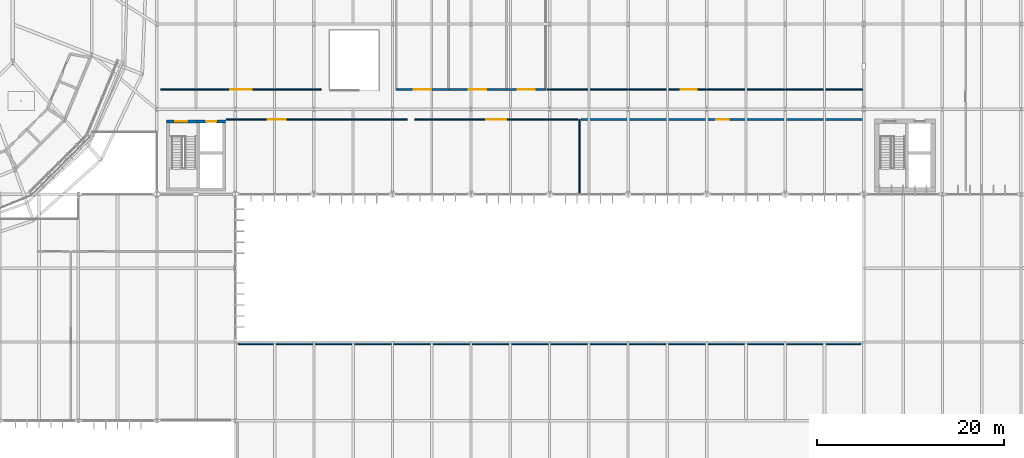
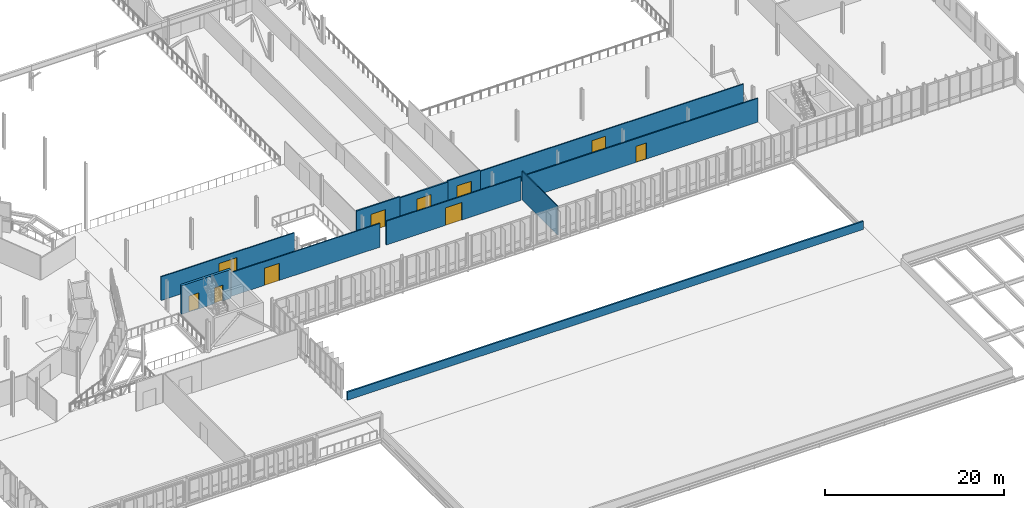
# One storey, part 89 of 107: 11 walls, 10 doors, 10 openings.
"""IFC4 building model written with IfcOpenShell, lengths in metres."""

from ifc_helpers import new_model, si_unit, derived_unit, direction, frame, frame_2d, origin, place, context, subcontext, project, spatial, rectangle, extrude, material, layer, layer_set, type_object, element, fill, save


model = new_model("IFC4")

# Units and contexts
model_context = context("Model", 3, precision=1e-05, world=origin(), true_north=direction((0.0, 1.0)))
body_context = subcontext(model_context, "Body", "Model", "MODEL_VIEW")
ifc_project = project(units=[si_unit("LENGTHUNIT", "METRE"), si_unit("AREAUNIT", "SQUARE_METRE"), si_unit("VOLUMEUNIT", "CUBIC_METRE"), si_unit("PLANEANGLEUNIT", "RADIAN"), si_unit("MASSUNIT", "GRAM", prefix="KILO"), derived_unit("THERMALTRANSMITTANCEUNIT", [(si_unit("MASSUNIT", "GRAM", prefix="KILO"), 1), (si_unit("TIMEUNIT", "SECOND"), -3), (si_unit("THERMODYNAMICTEMPERATUREUNIT", "KELVIN"), -1)])], contexts=[model_context])

# Site, building, storey
site_placement = place(None, origin())
site = spatial("IfcSite", under=ifc_project, at=site_placement, CompositionType="ELEMENT")
building_placement = place(site_placement, origin())
building = spatial("IfcBuilding", under=site, at=building_placement, Name="Makaiwela Harbour Ferry Terminal", CompositionType="ELEMENT")
storey_placement = place(building_placement, frame((0.0, 0.0, 9.60009765625)))
storey = spatial("IfcBuildingStorey", under=building, at=storey_placement, Name="L02", CompositionType="ELEMENT", Elevation=9.60009765625)

# Wall
ifc_material_1 = material(Name="Precast concrete f'c 40 MPa (6000 psi)", Category="concrete")
ifc_layer_1 = layer(ifc_material_1, 0.199951171875)
ifc_layer_set_1 = layer_set([ifc_layer_1], Name="Precast concrete f'c 40 MPa (6000 psi)")
wall_type_1 = type_object("IfcWallType", Name="ENV-WL-PAR200", PredefinedType="PARAPET", material=ifc_layer_set_1)
wall_1_placement = place(storey_placement, frame((71.7099609375, 33.39990234375, 0.0), z_axis=(0.0, 0.0, 1.0), x_axis=(1.0, 0.0, 0.0)))
element("IfcWall", 1, at=wall_1_placement, inside=storey, type_object=wall_type_1, Name="Roof Parapet Wall PW-009", PredefinedType="PARAPET", context=body_context, shape_type="SweptSolid", body=[
    extrude(rectangle(XDim=66.580078125, YDim=0.199951171875, at=frame_2d((33.2900390625, 0.0))), origin(), (0.0, 0.0, 1.0), 1.119873046875),
])

# Wall, opening, door
ifc_material_2 = material(Name="Fire-rated gypsum board on steel studs", Category="steel")
ifc_layer_2 = layer(ifc_material_2, 0.1650390625)
ifc_layer_set_2 = layer_set([ifc_layer_2], Name="Fire-rated gypsum board on steel studs")
wall_type_2 = type_object("IfcWallType", Name="INT-WL-FIR165", PredefinedType="PARTITIONING", material=ifc_layer_set_2)
wall_2_placement = place(storey_placement, frame((108.39990234375, 57.39990234375, 0.0), z_axis=(0.0, 0.0, 1.0), x_axis=(1.0, 0.0, 0.0)))
wall_2 = element("IfcWall", 2, at=wall_2_placement, inside=storey, type_object=wall_type_2, Name="Interior Wall IW-0541", PredefinedType="PARTITIONING", context=body_context, shape_type="SweptSolid", body=[
    extrude(rectangle(XDim=30.16015625, YDim=0.1650390625, at=frame_2d((15.080078125, 0.0))), origin(), (0.0, 0.0, 1.0), 3.241943359375),
])
opening_1_placement = place(wall_2_placement, frame((14.405029296875, 0.0, 0.0)))
opening_1 = element("IfcOpeningElement", 3, at=opening_1_placement, cuts=wall_2, Name="Opening D-15", PredefinedType="OPENING", context=body_context, shape_type="SweptSolid", body=[
    extrude(rectangle(XDim=1.35009765625, YDim=2.199951171875, at=frame_2d((0.675048828125, 1.10009765625))), frame((0.0, 0.092529296875, 0.0), z_axis=(0.0, -1.0, 0.0), x_axis=(1.0, 0.0, 0.0)), (0.0, 0.0, 1.0), 0.18505859375),
])
ifc_material_3 = material(Name="Insulated galvanised fire-rated steel leaf and frame", Category="steel")
door_type_1 = type_object("IfcDoorType", Name="INT-DR-STR135", OperationType="NOTDEFINED", PredefinedType="DOOR", material=ifc_material_3)
door_1_placement = place(opening_1_placement, origin())
door_1 = element("IfcDoor", 4, at=door_1_placement, inside=storey, type_object=door_type_1, Name="Door D-15", OperationType="SINGLE_SWING_RIGHT", OverallHeight=2.199951171875, OverallWidth=1.35009765625, PredefinedType="DOOR", context=body_context, shape_type="SweptSolid", body=[
    extrude(rectangle(XDim=1.35009765625, YDim=2.199951171875, at=frame_2d((0.675048828125, 1.10009765625))), frame((0.0, 0.02490234375, 0.0), z_axis=(0.0, -1.0, 0.0), x_axis=(1.0, 0.0, 0.0)), (0.0, 0.0, 1.0), 0.050048828125),
])
fill(opening_1, door_1)

ifc_layer_3 = layer(ifc_material_2, 0.179931640625)
ifc_layer_set_3 = layer_set([ifc_layer_3], Name="Fire-rated gypsum board on steel studs")
wall_type_3 = type_object("IfcWallType", Name="INT-WL-FIR180", PredefinedType="PARTITIONING", material=ifc_layer_set_3)
wall_3_placement = place(storey_placement, frame((88.60009765625, 60.60009765625, 0.0), z_axis=(0.0, 0.0, 1.0), x_axis=(1.0, 0.0, 0.0)))
wall_3 = element("IfcWall", 5, at=wall_3_placement, inside=storey, type_object=wall_type_3, Name="Interior Wall IW-0544", PredefinedType="PARTITIONING", context=body_context, shape_type="SweptSolid", body=[
    extrude(rectangle(XDim=5.599853515625, YDim=0.179931640625, at=frame_2d((2.7998046875, 0.0))), origin(), (0.0, 0.0, 1.0), 3.39794921875),
])
opening_2_placement = place(wall_3_placement, frame((1.875, 0.0, 0.0)))
opening_2 = element("IfcOpeningElement", 6, at=opening_2_placement, cuts=wall_3, Name="Opening D-05", PredefinedType="OPENING", context=body_context, shape_type="SweptSolid", body=[
    extrude(rectangle(XDim=1.85009765625, YDim=2.300048828125, at=frame_2d((0.925048828125, 1.14990234375))), frame((0.0, 0.099853515625, 0.0), z_axis=(0.0, -1.0, 0.0), x_axis=(1.0, 0.0, 0.0)), (0.0, 0.0, 1.0), 0.199951171875),
])
door_type_2 = type_object("IfcDoorType", Name="INT-DR-COR185", OperationType="NOTDEFINED", PredefinedType="DOOR", material=ifc_material_3)
door_2_placement = place(opening_2_placement, frame((1.85009765625, 0.0, 0.0), z_axis=(0.0, 0.0, 1.0), x_axis=(-1.0, 0.0, 0.0)))
door_2 = element("IfcDoor", 7, at=door_2_placement, inside=storey, type_object=door_type_2, Name="Door D-05", OperationType="DOUBLE_DOOR_SINGLE_SWING", OverallHeight=2.300048828125, OverallWidth=1.85009765625, PredefinedType="DOOR", context=body_context, shape_type="SweptSolid", body=[
    extrude(rectangle(XDim=1.85009765625, YDim=2.300048828125, at=frame_2d((0.925048828125, 1.14990234375))), frame((0.0, 0.02490234375, 0.0), z_axis=(0.0, -1.0, 0.0), x_axis=(1.0, 0.0, 0.0)), (0.0, 0.0, 1.0), 0.050048828125),
])
fill(opening_2, door_2)

wall_4_placement = place(storey_placement, frame((94.199951171875, 60.60009765625, 0.0), z_axis=(0.0, 0.0, 1.0), x_axis=(1.0, 0.0, 0.0)))
wall_4 = element("IfcWall", 8, at=wall_4_placement, inside=storey, type_object=wall_type_3, Name="Interior Wall IW-0545", PredefinedType="PARTITIONING", context=body_context, shape_type="SweptSolid", body=[
    extrude(rectangle(XDim=6.199951171875, YDim=0.179931640625, at=frame_2d((3.10009765625, 0.0))), origin(), (0.0, 0.0, 1.0), 3.241943359375),
])
opening_3_placement = place(wall_4_placement, frame((2.175048828125, 0.0, 0.0)))
opening_3 = element("IfcOpeningElement", 9, at=opening_3_placement, cuts=wall_4, Name="Opening D-05", PredefinedType="OPENING", context=body_context, shape_type="SweptSolid", body=[
    extrude(rectangle(XDim=1.85009765625, YDim=2.300048828125, at=frame_2d((0.925048828125, 1.14990234375))), frame((0.0, 0.099853515625, 0.0), z_axis=(0.0, -1.0, 0.0), x_axis=(1.0, 0.0, 0.0)), (0.0, 0.0, 1.0), 0.199951171875),
])
door_3_placement = place(opening_3_placement, frame((1.85009765625, 0.0, 0.0), z_axis=(0.0, 0.0, 1.0), x_axis=(-1.0, 0.0, 0.0)))
door_3 = element("IfcDoor", 10, at=door_3_placement, inside=storey, type_object=door_type_2, Name="Door D-05", OperationType="DOUBLE_DOOR_SINGLE_SWING", OverallHeight=2.300048828125, OverallWidth=1.85009765625, PredefinedType="DOOR", context=body_context, shape_type="SweptSolid", body=[
    extrude(rectangle(XDim=1.85009765625, YDim=2.300048828125, at=frame_2d((0.925048828125, 1.14990234375))), frame((0.0, 0.02490234375, 0.0), z_axis=(0.0, -1.0, 0.0), x_axis=(1.0, 0.0, 0.0)), (0.0, 0.0, 1.0), 0.050048828125),
])
fill(opening_3, door_3)

wall_5_placement = place(storey_placement, frame((100.39990234375, 60.60009765625, 0.0), z_axis=(0.0, 0.0, 1.0), x_axis=(1.0, 0.0, 0.0)))
wall_5 = element("IfcWall", 11, at=wall_5_placement, inside=storey, type_object=wall_type_3, Name="Interior Wall IW-0546", PredefinedType="PARTITIONING", context=body_context, shape_type="SweptSolid", body=[
    extrude(rectangle(XDim=4.2001953125, YDim=0.179931640625, at=frame_2d((2.10009765625, 0.0))), origin(), (0.0, 0.0, 1.0), 3.39794921875),
])
opening_4_placement = place(wall_5_placement, frame((1.175048828125, 0.0, 0.0)))
opening_4 = element("IfcOpeningElement", 12, at=opening_4_placement, cuts=wall_5, Name="Opening D-05", PredefinedType="OPENING", context=body_context, shape_type="SweptSolid", body=[
    extrude(rectangle(XDim=1.85009765625, YDim=2.300048828125, at=frame_2d((0.925048828125, 1.14990234375))), frame((0.0, 0.099853515625, 0.0), z_axis=(0.0, -1.0, 0.0), x_axis=(1.0, 0.0, 0.0)), (0.0, 0.0, 1.0), 0.199951171875),
])
door_4_placement = place(opening_4_placement, frame((1.85009765625, 0.0, 0.0), z_axis=(0.0, 0.0, 1.0), x_axis=(-1.0, 0.0, 0.0)))
door_4 = element("IfcDoor", 13, at=door_4_placement, inside=storey, type_object=door_type_2, Name="Door D-05", OperationType="DOUBLE_DOOR_SINGLE_SWING", OverallHeight=2.300048828125, OverallWidth=1.85009765625, PredefinedType="DOOR", context=body_context, shape_type="SweptSolid", body=[
    extrude(rectangle(XDim=1.85009765625, YDim=2.300048828125, at=frame_2d((0.925048828125, 1.14990234375))), frame((0.0, 0.02490234375, 0.0), z_axis=(0.0, -1.0, 0.0), x_axis=(1.0, 0.0, 0.0)), (0.0, 0.0, 1.0), 0.050048828125),
])
fill(opening_4, door_4)

# Wall
ifc_material_4 = material(Name="Moisture-resistant acoustic gypsum partition", Category="gypsum")
ifc_layer_4 = layer(ifc_material_4, 0.1201171875)
ifc_layer_set_4 = layer_set([ifc_layer_4], Name="Moisture-resistant acoustic gypsum partition")
wall_type_4 = type_object("IfcWallType", Name="INT-WL-PRT120", PredefinedType="PARTITIONING", material=ifc_layer_set_4)
wall_6_placement = place(storey_placement, frame((108.199951171875, 49.419921875, 0.0), z_axis=(0.0, 0.0, 1.0), x_axis=(0.0, 1.0, 0.0)))
element("IfcWall", 14, at=wall_6_placement, inside=storey, type_object=wall_type_4, Name="Interior Wall IW-0542", PredefinedType="PARTITIONING", context=body_context, shape_type="SweptSolid", body=[
    extrude(rectangle(XDim=7.97998046875, YDim=0.1201171875, at=frame_2d((3.989990234375, 0.0))), origin(), (0.0, 0.0, 1.0), 3.919921875),
])

# Wall, opening, door
ifc_layer_5 = layer(ifc_material_4, 0.139892578125)
ifc_layer_set_5 = layer_set([ifc_layer_5], Name="Moisture-resistant acoustic gypsum partition")
wall_type_5 = type_object("IfcWallType", Name="INT-WL-PRT140", PredefinedType="PARTITIONING", material=ifc_layer_set_5)
wall_7_placement = place(storey_placement, frame((70.39990234375, 57.39990234375, 0.0), z_axis=(0.0, 0.0, 1.0), x_axis=(1.0, 0.0, 0.0)))
wall_7 = element("IfcWall", 15, at=wall_7_placement, inside=storey, type_object=wall_type_5, Name="Interior Wall IW-0539", PredefinedType="PARTITIONING", context=body_context, shape_type="SweptSolid", body=[
    extrude(rectangle(XDim=19.400146484375, YDim=0.139892578125, at=frame_2d((9.7001953125, 0.0))), origin(), (0.0, 0.0, 1.0), 3.241943359375),
])
opening_5_placement = place(wall_7_placement, frame((4.45703125, 0.0, 0.0)))
opening_5 = element("IfcOpeningElement", 16, at=opening_5_placement, cuts=wall_7, Name="Opening D-19", PredefinedType="OPENING", context=body_context, shape_type="SweptSolid", body=[
    extrude(rectangle(XDim=1.949951171875, YDim=2.35009765625, at=frame_2d((0.97509765625, 1.175048828125))), frame((0.0, 0.079833984375, 0.0), z_axis=(0.0, -1.0, 0.0), x_axis=(1.0, 0.0, 0.0)), (0.0, 0.0, 1.0), 0.159912109375),
])
ifc_material_5 = material(Name="Solid-core marine hardwood and painted steel frame", Category="steel")
door_type_3 = type_object("IfcDoorType", Name="INT-DR-RET195", OperationType="NOTDEFINED", PredefinedType="DOOR", material=ifc_material_5)
door_5_placement = place(opening_5_placement, origin())
door_5 = element("IfcDoor", 17, at=door_5_placement, inside=storey, type_object=door_type_3, Name="Door D-19", OperationType="DOUBLE_DOOR_SINGLE_SWING", OverallHeight=2.35009765625, OverallWidth=1.949951171875, PredefinedType="DOOR", context=body_context, shape_type="SweptSolid", body=[
    extrude(rectangle(XDim=1.949951171875, YDim=2.35009765625, at=frame_2d((0.97509765625, 1.175048828125))), frame((0.0, 0.02490234375, 0.0), z_axis=(0.0, -1.0, 0.0), x_axis=(1.0, 0.0, 0.0)), (0.0, 0.0, 1.0), 0.050048828125),
])
fill(opening_5, door_5)

wall_8_placement = place(storey_placement, frame((90.60009765625, 57.39990234375, 0.0), z_axis=(0.0, 0.0, 1.0), x_axis=(1.0, 0.0, 0.0)))
wall_8 = element("IfcWall", 18, at=wall_8_placement, inside=storey, type_object=wall_type_5, Name="Interior Wall IW-0540", PredefinedType="PARTITIONING", context=body_context, shape_type="SweptSolid", body=[
    extrude(rectangle(XDim=17.39990234375, YDim=0.139892578125, at=frame_2d((8.699951171875, 0.0))), origin(), (0.0, 0.0, 1.0), 3.241943359375),
])
opening_6_placement = place(wall_8_placement, frame((7.64990234375, 0.0, 0.0)))
opening_6 = element("IfcOpeningElement", 19, at=opening_6_placement, cuts=wall_8, Name="Opening D-20", PredefinedType="OPENING", context=body_context, shape_type="SweptSolid", body=[
    extrude(rectangle(XDim=2.10009765625, YDim=2.39990234375, at=frame_2d((1.050048828125, 1.199951171875))), frame((0.0, 0.079833984375, 0.0), z_axis=(0.0, -1.0, 0.0), x_axis=(1.0, 0.0, 0.0)), (0.0, 0.0, 1.0), 0.159912109375),
])
door_type_4 = type_object("IfcDoorType", Name="INT-DR-RET210", OperationType="NOTDEFINED", PredefinedType="DOOR", material=ifc_material_5)
door_6_placement = place(opening_6_placement, origin())
door_6 = element("IfcDoor", 20, at=door_6_placement, inside=storey, type_object=door_type_4, Name="Door D-20", OperationType="DOUBLE_DOOR_SINGLE_SWING", OverallHeight=2.39990234375, OverallWidth=2.10009765625, PredefinedType="DOOR", context=body_context, shape_type="SweptSolid", body=[
    extrude(rectangle(XDim=2.10009765625, YDim=2.39990234375, at=frame_2d((1.050048828125, 1.199951171875))), frame((0.0, 0.02490234375, 0.0), z_axis=(0.0, -1.0, 0.0), x_axis=(1.0, 0.0, 0.0)), (0.0, 0.0, 1.0), 0.050048828125),
])
fill(opening_6, door_6)

wall_9_placement = place(storey_placement, frame((63.39990234375, 60.60009765625, 0.0), z_axis=(0.0, 0.0, 1.0), x_axis=(1.0, 0.0, 0.0)))
wall_9 = element("IfcWall", 21, at=wall_9_placement, inside=storey, type_object=wall_type_5, Name="Interior Wall IW-0543", PredefinedType="PARTITIONING", context=body_context, shape_type="SweptSolid", body=[
    extrude(rectangle(XDim=17.2001953125, YDim=0.139892578125, at=frame_2d((8.60009765625, 0.0))), origin(), (0.0, 0.0, 1.0), 3.241943359375),
])
opening_7_placement = place(wall_9_placement, frame((7.449951171875, 0.0, 0.0)))
opening_7 = element("IfcOpeningElement", 22, at=opening_7_placement, cuts=wall_9, Name="Opening D-23", PredefinedType="OPENING", context=body_context, shape_type="SweptSolid", body=[
    extrude(rectangle(XDim=2.300048828125, YDim=2.449951171875, at=frame_2d((1.14990234375, 1.22509765625))), frame((0.0, 0.079833984375, 0.0), z_axis=(0.0, -1.0, 0.0), x_axis=(1.0, 0.0, 0.0)), (0.0, 0.0, 1.0), 0.159912109375),
])
door_type_5 = type_object("IfcDoorType", Name="INT-DR-CON230", OperationType="NOTDEFINED", PredefinedType="DOOR", material=ifc_material_5)
door_7_placement = place(opening_7_placement, frame((2.300048828125, 0.0, 0.0), z_axis=(0.0, 0.0, 1.0), x_axis=(-1.0, 0.0, 0.0)))
door_7 = element("IfcDoor", 23, at=door_7_placement, inside=storey, type_object=door_type_5, Name="Door D-23", OperationType="DOUBLE_DOOR_SINGLE_SWING", OverallHeight=2.449951171875, OverallWidth=2.300048828125, PredefinedType="DOOR", context=body_context, shape_type="SweptSolid", body=[
    extrude(rectangle(XDim=2.300048828125, YDim=2.449951171875, at=frame_2d((1.14990234375, 1.22509765625))), frame((0.0, 0.02490234375, 0.0), z_axis=(0.0, -1.0, 0.0), x_axis=(1.0, 0.0, 0.0)), (0.0, 0.0, 1.0), 0.050048828125),
])
fill(opening_7, door_7)

wall_10_placement = place(storey_placement, frame((104.60009765625, 60.60009765625, 0.0), z_axis=(0.0, 0.0, 1.0), x_axis=(1.0, 0.0, 0.0)))
wall_10 = element("IfcWall", 24, at=wall_10_placement, inside=storey, type_object=wall_type_5, Name="Interior Wall IW-0547", PredefinedType="PARTITIONING", context=body_context, shape_type="SweptSolid", body=[
    extrude(rectangle(XDim=33.9599609375, YDim=0.139892578125, at=frame_2d((16.97998046875, 0.0))), origin(), (0.0, 0.0, 1.0), 3.241943359375),
])
opening_8_placement = place(wall_10_placement, frame((14.406982421875, 0.0, 0.0)))
opening_8 = element("IfcOpeningElement", 25, at=opening_8_placement, cuts=wall_10, Name="Opening D-18", PredefinedType="OPENING", context=body_context, shape_type="SweptSolid", body=[
    extrude(rectangle(XDim=1.75, YDim=2.35009765625, at=frame_2d((0.875, 1.175048828125))), frame((0.0, 0.079833984375, 0.0), z_axis=(0.0, -1.0, 0.0), x_axis=(1.0, 0.0, 0.0)), (0.0, 0.0, 1.0), 0.159912109375),
])
door_type_6 = type_object("IfcDoorType", Name="INT-DR-DIN175", OperationType="NOTDEFINED", PredefinedType="DOOR", material=ifc_material_5)
door_8_placement = place(opening_8_placement, frame((1.75, 0.0, 0.0), z_axis=(0.0, 0.0, 1.0), x_axis=(-1.0, 0.0, 0.0)))
door_8 = element("IfcDoor", 26, at=door_8_placement, inside=storey, type_object=door_type_6, Name="Door D-18", OperationType="DOUBLE_DOOR_SINGLE_SWING", OverallHeight=2.35009765625, OverallWidth=1.75, PredefinedType="DOOR", context=body_context, shape_type="SweptSolid", body=[
    extrude(rectangle(XDim=1.75, YDim=2.35009765625, at=frame_2d((0.875, 1.175048828125))), frame((0.0, 0.02490234375, 0.0), z_axis=(0.0, -1.0, 0.0), x_axis=(1.0, 0.0, 0.0)), (0.0, 0.0, 1.0), 0.050048828125),
])
fill(opening_8, door_8)

# Wall, openings, doors
ifc_material_6 = material(Name="Concrete f'c 45 MPa (6500 psi)", Category="concrete")
ifc_layer_6 = layer(ifc_material_6, 0.320068359375)
ifc_layer_set_6 = layer_set([ifc_layer_6], Name="Concrete f'c 45 MPa (6500 psi)")
wall_type_6 = type_object("IfcWallType", Name="INT-WL-SHR320", PredefinedType="SHEAR", material=ifc_layer_set_6)
wall_11_placement = place(storey_placement, frame((64.0400390625, 57.199951171875, 0.0), z_axis=(0.0, 0.0, 1.0), x_axis=(1.0, 0.0, 0.0)))
wall_11 = element("IfcWall", 27, at=wall_11_placement, inside=storey, type_object=wall_type_6, Name="Interior Wall IW-0179", PredefinedType="SHEAR", context=body_context, shape_type="SweptSolid", body=[
    extrude(rectangle(XDim=6.320068359375, YDim=0.320068359375, at=frame_2d((3.16015625, 0.0))), origin(), (0.0, 0.0, 1.0), 3.919921875),
])
opening_9_placement = place(wall_11_placement, frame((0.955078125, 0.0, 0.0)))
opening_9 = element("IfcOpeningElement", 28, at=opening_9_placement, cuts=wall_11, Name="Opening D-02", PredefinedType="OPENING", context=body_context, shape_type="SweptSolid", body=[
    extrude(rectangle(XDim=1.25, YDim=2.199951171875, at=frame_2d((0.625, 1.10009765625))), frame((0.0, 0.169921875, 0.0), z_axis=(0.0, -1.0, 0.0), x_axis=(1.0, 0.0, 0.0)), (0.0, 0.0, 1.0), 0.340087890625),
])
opening_10_placement = place(wall_11_placement, frame((4.2548828125, 0.0, 0.0)))
opening_10 = element("IfcOpeningElement", 29, at=opening_10_placement, cuts=wall_11, Name="Opening LD-01", PredefinedType="OPENING", context=body_context, shape_type="SweptSolid", body=[
    extrude(rectangle(XDim=1.050048828125, YDim=2.14990234375, at=frame_2d((0.52490234375, 1.074951171875))), frame((0.0, 0.169921875, 0.0), z_axis=(0.0, -1.0, 0.0), x_axis=(1.0, 0.0, 0.0)), (0.0, 0.0, 1.0), 0.340087890625),
])
ifc_material_7 = material(Name="Marine grade 316L brushed stainless steel", Category="steel")
door_type_7 = type_object("IfcDoorType", Name="INT-DR-LD105", OperationType="NOTDEFINED", PredefinedType="DOOR", material=ifc_material_7)
door_9_placement = place(opening_10_placement, origin())
door_9 = element("IfcDoor", 30, at=door_9_placement, inside=storey, type_object=door_type_7, Name="Door LD-01", OperationType="DOUBLE_DOOR_SLIDING", OverallHeight=2.14990234375, OverallWidth=1.050048828125, PredefinedType="DOOR", context=body_context, shape_type="SweptSolid", body=[
    extrude(rectangle(XDim=1.050048828125, YDim=2.14990234375, at=frame_2d((0.52490234375, 1.074951171875))), frame((0.0, 0.02490234375, 0.0), z_axis=(0.0, -1.0, 0.0), x_axis=(1.0, 0.0, 0.0)), (0.0, 0.0, 1.0), 0.050048828125),
])
fill(opening_10, door_9)
door_type_8 = type_object("IfcDoorType", Name="INT-DR-ST125", OperationType="NOTDEFINED", PredefinedType="DOOR", material=ifc_material_3)
door_10_placement = place(opening_9_placement, origin())
door_10 = element("IfcDoor", 31, at=door_10_placement, inside=storey, type_object=door_type_8, Name="Door D-02", OperationType="SINGLE_SWING_RIGHT", OverallHeight=2.199951171875, OverallWidth=1.25, PredefinedType="DOOR", context=body_context, shape_type="SweptSolid", body=[
    extrude(rectangle(XDim=1.25, YDim=2.199951171875, at=frame_2d((0.625, 1.10009765625))), frame((0.0, 0.02490234375, 0.0), z_axis=(0.0, -1.0, 0.0), x_axis=(1.0, 0.0, 0.0)), (0.0, 0.0, 1.0), 0.050048828125),
])
fill(opening_9, door_10)

save(model, "model.ifc")
